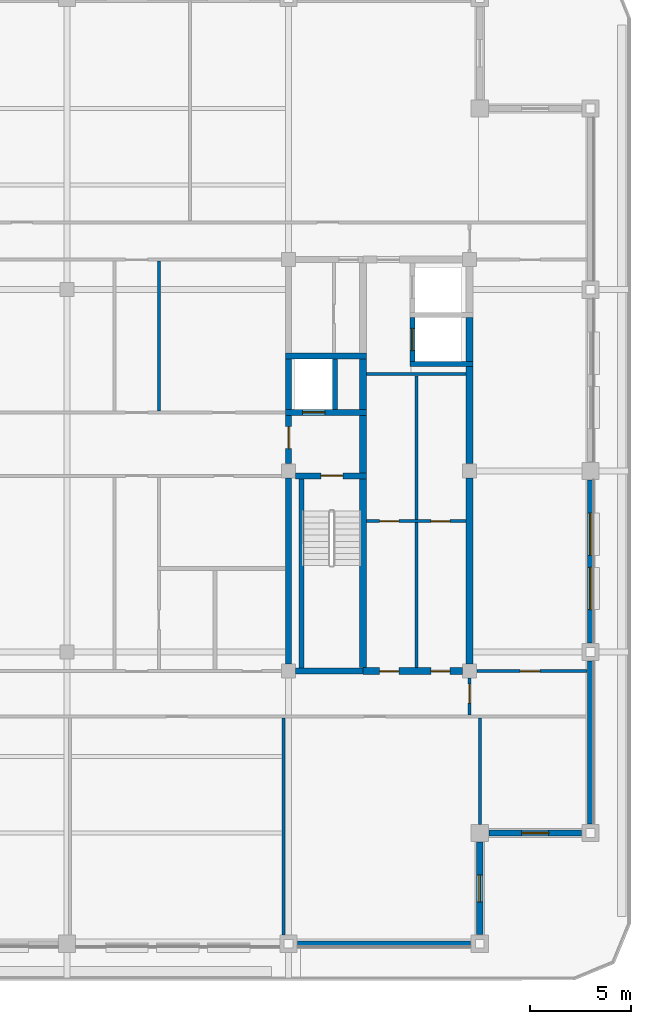
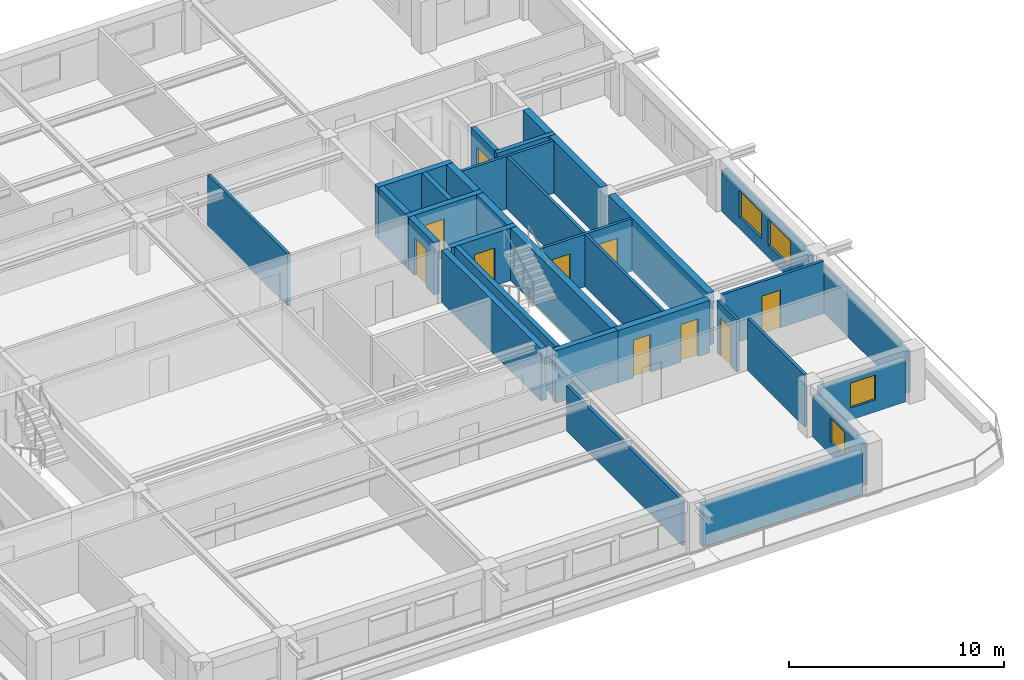
# One storey, part 4 of 11: 32 walls, 10 doors, 4 windows, 14 openings.
"""IFC4 building model written with IfcOpenShell, lengths in metres."""

from ifc_helpers import new_model, si_unit, direction, frame, frame_2d, origin, place, context, subcontext, project, spatial, rectangle, extrude, material, layer, layer_set, type_object, element, fill, save


model = new_model("IFC4")

# Units and contexts
model_context = context("Model", 3, precision=1e-05, world=origin(), true_north=direction((0.0, 1.0)))
body_context = subcontext(model_context, "Body", "Model", "MODEL_VIEW")
ifc_project = project(units=[si_unit("LENGTHUNIT", "METRE"), si_unit("AREAUNIT", "SQUARE_METRE"), si_unit("VOLUMEUNIT", "CUBIC_METRE"), si_unit("PLANEANGLEUNIT", "RADIAN"), si_unit("MASSUNIT", "GRAM", prefix="KILO")], contexts=[model_context])

# Site, building, storey
site_placement = place(None, origin())
site = spatial("IfcSite", under=ifc_project, at=site_placement, CompositionType="ELEMENT")
building_placement = place(site_placement, origin())
building = spatial("IfcBuilding", under=site, at=building_placement, Name="Zulmaris Gate Convention Tower", CompositionType="ELEMENT")
storey_placement = place(building_placement, frame((0.0, 0.0, 242.969970703125)))
storey = spatial("IfcBuildingStorey", under=building, at=storey_placement, Name="L64", CompositionType="ELEMENT", Elevation=242.969970703125)

# Walls
ifc_material_1 = material(Name="Concrete C50/60", Category="concrete")
ifc_layer_1 = layer(ifc_material_1, 0.25, Name="Concrete C50/60")
ifc_layer_set_1 = layer_set([ifc_layer_1], Name="Concrete C50/60")
wall_type_1 = type_object("IfcWallType", Name="CORE-250", PredefinedType="SOLIDWALL", material=ifc_layer_set_1)
wall_1_placement = place(storey_placement, frame((17.02490234375, 5.300048828125, 0.0), z_axis=(0.0, 0.0, 1.0), x_axis=(1.0, 0.0, 0.0)))
element("IfcWall", 1, at=wall_1_placement, inside=storey, type_object=wall_type_1, Name="WL-L64-011", PredefinedType="SOLIDWALL", context=body_context, shape_type="SweptSolid", body=[
    extrude(rectangle(XDim=3.150146484375, YDim=0.25, at=frame_2d((1.5751953125, 0.0))), origin(), (0.0, 0.0, 1.0), 2.97998046875),
])
wall_2_placement = place(storey_placement, frame((11.64990234375, -9.798095703125, 0.0), z_axis=(0.0, 0.0, 1.0), x_axis=(0.0, 1.0, 0.0)))
element("IfcWall", 2, at=wall_2_placement, inside=storey, type_object=wall_type_1, Name="WL-L64-053", PredefinedType="SOLIDWALL", context=body_context, shape_type="SweptSolid", body=[
    extrude(rectangle(XDim=9.39599609375, YDim=0.25, at=frame_2d((4.697998046875, 0.0))), origin(), (0.0, 0.0, 1.0), 2.97998046875),
])
wall_3_placement = place(storey_placement, frame((13.300048828125, 3.052001953125, 0.0), z_axis=(0.0, 0.0, 1.0), x_axis=(0.0, 1.0, 0.0)))
element("IfcWall", 3, at=wall_3_placement, inside=storey, type_object=wall_type_1, Name="WL-L64-054", PredefinedType="SOLIDWALL", context=body_context, shape_type="SweptSolid", body=[
    extrude(rectangle(XDim=2.49609375, YDim=0.25, at=frame_2d((1.248046875, 0.0))), origin(), (0.0, 0.0, 1.0), 2.97998046875),
])

# Wall, opening, door
wall_4_placement = place(storey_placement, frame((17.14990234375, 5.427001953125, 0.0), z_axis=(0.0, 0.0, 1.0), x_axis=(0.0, 1.0, 0.0)))
wall_4 = element("IfcWall", 4, at=wall_4_placement, inside=storey, type_object=wall_type_1, Name="WL-L64-059", PredefinedType="SOLIDWALL", context=body_context, shape_type="SweptSolid", body=[
    extrude(rectangle(XDim=2.196044921875, YDim=0.25, at=frame_2d((1.09814453125, 0.0))), origin(), (0.0, 0.0, 1.0), 2.97998046875),
])
opening_1_placement = place(wall_4_placement, frame((0.548095703125, 0.0, 0.0)))
opening_1 = element("IfcOpeningElement", 5, at=opening_1_placement, cuts=wall_4, Name="Opening D-06", PredefinedType="OPENING", context=body_context, shape_type="SweptSolid", body=[
    extrude(rectangle(XDim=1.10009765625, YDim=2.199951171875, at=frame_2d((0.550048828125, 1.10009765625))), frame((0.0, 0.135009765625, 0.0), z_axis=(0.0, -1.0, 0.0), x_axis=(1.0, 0.0, 0.0)), (0.0, 0.0, 1.0), 0.27001953125),
])
ifc_material_2 = material(Name="Brushed Stainless Steel", Category="steel")
door_type_1 = type_object("IfcDoorType", Name="LD-1100", OperationType="NOTDEFINED", PredefinedType="DOOR", material=ifc_material_2)
door_1_placement = place(opening_1_placement, origin())
door_1 = element("IfcDoor", 6, at=door_1_placement, inside=storey, type_object=door_type_1, Name="L64 Lift Landing Door HP-01 17", OperationType="SLIDING_TO_RIGHT", OverallHeight=2.199951171875, OverallWidth=1.10009765625, PredefinedType="DOOR", context=body_context, shape_type="SweptSolid", body=[
    extrude(rectangle(XDim=1.10009765625, YDim=2.199951171875, at=frame_2d((0.550048828125, 1.10009765625))), frame((0.0, 0.02490234375, 0.0), z_axis=(0.0, -1.0, 0.0), x_axis=(1.0, 0.0, 0.0)), (0.0, 0.0, 1.0), 0.050048828125),
])
fill(opening_1, door_1)

# Wall
ifc_layer_2 = layer(ifc_material_1, 0.300048828125, Name="Concrete C50/60")
ifc_layer_set_2 = layer_set([ifc_layer_2], Name="Concrete C50/60")
wall_type_2 = type_object("IfcWallType", Name="CORE-300", PredefinedType="SHEAR", material=ifc_layer_set_2)
wall_5_placement = place(storey_placement, frame((11.35400390625, -9.949951171875, 0.0), z_axis=(0.0, 0.0, 1.0), x_axis=(1.0, 0.0, 0.0)))
element("IfcWall", 7, at=wall_5_placement, inside=storey, type_object=wall_type_2, Name="WL-L64-003", PredefinedType="SHEAR", context=body_context, shape_type="SweptSolid", body=[
    extrude(rectangle(XDim=3.345947265625, YDim=0.300048828125, at=frame_2d((1.6728515625, 0.0))), origin(), (0.0, 0.0, 1.0), 2.97998046875),
])

# Wall, opening, door
wall_6_placement = place(storey_placement, frame((11.35400390625, -0.25, 0.0), z_axis=(0.0, 0.0, 1.0), x_axis=(1.0, 0.0, 0.0)))
wall_6 = element("IfcWall", 8, at=wall_6_placement, inside=storey, type_object=wall_type_2, Name="WL-L64-006", PredefinedType="SHEAR", context=body_context, shape_type="SweptSolid", body=[
    extrude(rectangle(XDim=3.52099609375, YDim=0.300048828125, at=frame_2d((1.760498046875, 0.0))), origin(), (0.0, 0.0, 1.0), 2.97998046875),
])
opening_2_placement = place(wall_6_placement, frame((1.24609375, 0.0, 0.0)))
opening_2 = element("IfcOpeningElement", 9, at=opening_2_placement, cuts=wall_6, Name="Opening D-08", PredefinedType="OPENING", context=body_context, shape_type="SweptSolid", body=[
    extrude(rectangle(XDim=1.10009765625, YDim=2.14990234375, at=frame_2d((0.550048828125, 1.074951171875))), frame((0.0, 0.16015625, 0.0), z_axis=(0.0, -1.0, 0.0), x_axis=(1.0, 0.0, 0.0)), (0.0, 0.0, 1.0), 0.320068359375),
])
ifc_material_3 = material(Name="Fire-Rated Steel", Category="steel")
door_type_2 = type_object("IfcDoorType", Name="DR-1100-FD", OperationType="NOTDEFINED", PredefinedType="DOOR", material=ifc_material_3)
door_2_placement = place(opening_2_placement, origin())
door_2 = element("IfcDoor", 10, at=door_2_placement, inside=storey, type_object=door_type_2, Name="L64 Exit Stair ST-2 Door 04", OperationType="SINGLE_SWING_LEFT", OverallHeight=2.14990234375, OverallWidth=1.10009765625, PredefinedType="DOOR", context=body_context, shape_type="SweptSolid", body=[
    extrude(rectangle(XDim=1.10009765625, YDim=2.14990234375, at=frame_2d((0.550048828125, 1.074951171875))), frame((0.0, 0.02490234375, 0.0), z_axis=(0.0, -1.0, 0.0), x_axis=(1.0, 0.0, 0.0)), (0.0, 0.0, 1.0), 0.050048828125),
])
fill(opening_2, door_2)

wall_7_placement = place(storey_placement, frame((10.85009765625, 2.89990234375, 0.0), z_axis=(0.0, 0.0, 1.0), x_axis=(1.0, 0.0, 0.0)))
wall_7 = element("IfcWall", 11, at=wall_7_placement, inside=storey, type_object=wall_type_2, Name="WL-L64-009", PredefinedType="SHEAR", context=body_context, shape_type="SweptSolid", body=[
    extrude(rectangle(XDim=4.02490234375, YDim=0.300048828125, at=frame_2d((2.012451171875, 0.0))), origin(), (0.0, 0.0, 1.0), 2.97998046875),
])
opening_3_placement = place(wall_7_placement, frame((0.85009765625, 0.0, 0.0)))
opening_3 = element("IfcOpeningElement", 12, at=opening_3_placement, cuts=wall_7, Name="Opening D-06", PredefinedType="OPENING", context=body_context, shape_type="SweptSolid", body=[
    extrude(rectangle(XDim=1.10009765625, YDim=2.199951171875, at=frame_2d((0.550048828125, 1.10009765625))), frame((0.0, 0.16015625, 0.0), z_axis=(0.0, -1.0, 0.0), x_axis=(1.0, 0.0, 0.0)), (0.0, 0.0, 1.0), 0.320068359375),
])
door_3_placement = place(opening_3_placement, origin())
door_3 = element("IfcDoor", 13, at=door_3_placement, inside=storey, type_object=door_type_1, Name="L64 Lift Landing Door LF-02 06", OperationType="SLIDING_TO_RIGHT", OverallHeight=2.199951171875, OverallWidth=1.10009765625, PredefinedType="DOOR", context=body_context, shape_type="SweptSolid", body=[
    extrude(rectangle(XDim=1.10009765625, YDim=2.199951171875, at=frame_2d((0.550048828125, 1.10009765625))), frame((0.0, 0.02490234375, 0.0), z_axis=(0.0, -1.0, 0.0), x_axis=(1.0, 0.0, 0.0)), (0.0, 0.0, 1.0), 0.050048828125),
])
fill(opening_3, door_3)

# Walls
wall_8_placement = place(storey_placement, frame((10.85009765625, 5.699951171875, 0.0), z_axis=(0.0, 0.0, 1.0), x_axis=(1.0, 0.0, 0.0)))
element("IfcWall", 14, at=wall_8_placement, inside=storey, type_object=wall_type_2, Name="WL-L64-013", PredefinedType="SHEAR", context=body_context, shape_type="SweptSolid", body=[
    extrude(rectangle(XDim=4.02490234375, YDim=0.300048828125, at=frame_2d((2.012451171875, 0.0))), origin(), (0.0, 0.0, 1.0), 2.97998046875),
])
wall_9_placement = place(storey_placement, frame((11.0, -9.595947265625, 0.0), z_axis=(0.0, 0.0, 1.0), x_axis=(0.0, 1.0, 0.0)))
element("IfcWall", 15, at=wall_9_placement, inside=storey, type_object=wall_type_2, Name="WL-L64-049", PredefinedType="SHEAR", context=body_context, shape_type="SweptSolid", body=[
    extrude(rectangle(XDim=9.241943359375, YDim=0.300048828125, at=frame_2d((4.62109375, 0.0))), origin(), (0.0, 0.0, 1.0), 2.97998046875),
])

# Wall, opening, door
wall_10_placement = place(storey_placement, frame((11.0, 0.35400390625, 0.0), z_axis=(0.0, 0.0, 1.0), x_axis=(0.0, 1.0, 0.0)))
wall_10 = element("IfcWall", 16, at=wall_10_placement, inside=storey, type_object=wall_type_2, Name="WL-L64-050", PredefinedType="SHEAR", context=body_context, shape_type="SweptSolid", body=[
    extrude(rectangle(XDim=2.39404296875, YDim=0.300048828125, at=frame_2d((1.197021484375, 0.0))), origin(), (0.0, 0.0, 1.0), 2.97998046875),
])
opening_4_placement = place(wall_10_placement, frame((0.74609375, 0.0, 0.0)))
opening_4 = element("IfcOpeningElement", 17, at=opening_4_placement, cuts=wall_10, Name="Opening D-08", PredefinedType="OPENING", context=body_context, shape_type="SweptSolid", body=[
    extrude(rectangle(XDim=1.10009765625, YDim=2.14990234375, at=frame_2d((0.550048828125, 1.074951171875))), frame((0.0, 0.16015625, 0.0), z_axis=(0.0, -1.0, 0.0), x_axis=(1.0, 0.0, 0.0)), (0.0, 0.0, 1.0), 0.320068359375),
])
door_4_placement = place(opening_4_placement, origin())
door_4 = element("IfcDoor", 18, at=door_4_placement, inside=storey, type_object=door_type_2, Name="L64 East Firefighting Lobby Door 05", OperationType="SINGLE_SWING_RIGHT", OverallHeight=2.14990234375, OverallWidth=1.10009765625, PredefinedType="DOOR", context=body_context, shape_type="SweptSolid", body=[
    extrude(rectangle(XDim=1.10009765625, YDim=2.14990234375, at=frame_2d((0.550048828125, 1.074951171875))), frame((0.0, 0.02490234375, 0.0), z_axis=(0.0, -1.0, 0.0), x_axis=(1.0, 0.0, 0.0)), (0.0, 0.0, 1.0), 0.050048828125),
])
fill(opening_4, door_4)

# Wall
wall_11_placement = place(storey_placement, frame((11.0, 3.052001953125, 0.0), z_axis=(0.0, 0.0, 1.0), x_axis=(0.0, 1.0, 0.0)))
element("IfcWall", 19, at=wall_11_placement, inside=storey, type_object=wall_type_2, Name="WL-L64-051", PredefinedType="SHEAR", context=body_context, shape_type="SweptSolid", body=[
    extrude(rectangle(XDim=2.49609375, YDim=0.300048828125, at=frame_2d((1.248046875, 0.0))), origin(), (0.0, 0.0, 1.0), 2.97998046875),
])

# Wall, openings, doors
ifc_material_4 = material(Name="Concrete C55/67", Category="concrete")
ifc_layer_3 = layer(ifc_material_4, 0.35009765625, Name="Concrete C55/67")
ifc_layer_set_3 = layer_set([ifc_layer_3], Name="Concrete C55/67")
wall_type_3 = type_object("IfcWallType", Name="CORE-350", PredefinedType="SHEAR", material=ifc_layer_set_3)
wall_12_placement = place(storey_placement, frame((14.699951171875, -9.949951171875, 0.0), z_axis=(0.0, 0.0, 1.0), x_axis=(1.0, 0.0, 0.0)))
wall_12 = element("IfcWall", 20, at=wall_12_placement, inside=storey, type_object=wall_type_3, Name="WL-L64-004", PredefinedType="SHEAR", context=body_context, shape_type="SweptSolid", body=[
    extrude(rectangle(XDim=4.946044921875, YDim=0.35009765625, at=frame_2d((2.47314453125, 0.0))), origin(), (0.0, 0.0, 1.0), 2.97998046875),
])
opening_5_placement = place(wall_12_placement, frame((0.824951171875, 0.0, 0.0)))
opening_5 = element("IfcOpeningElement", 21, at=opening_5_placement, cuts=wall_12, Name="Opening D-11", PredefinedType="OPENING", context=body_context, shape_type="SweptSolid", body=[
    extrude(rectangle(XDim=0.949951171875, YDim=2.14990234375, at=frame_2d((0.47509765625, 1.074951171875))), frame((0.0, 0.18505859375, 0.0), z_axis=(0.0, -1.0, 0.0), x_axis=(1.0, 0.0, 0.0)), (0.0, 0.0, 1.0), 0.3701171875),
])
opening_6_placement = place(wall_12_placement, frame((3.375, 0.0, 0.0)))
opening_6 = element("IfcOpeningElement", 22, at=opening_6_placement, cuts=wall_12, Name="Opening D-11", PredefinedType="OPENING", context=body_context, shape_type="SweptSolid", body=[
    extrude(rectangle(XDim=0.949951171875, YDim=2.14990234375, at=frame_2d((0.47509765625, 1.074951171875))), frame((0.0, 0.18505859375, 0.0), z_axis=(0.0, -1.0, 0.0), x_axis=(1.0, 0.0, 0.0)), (0.0, 0.0, 1.0), 0.3701171875),
])
ifc_material_5 = material(Name="Fire-Rated Timber", Category="wood")
door_type_3 = type_object("IfcDoorType", Name="DR-950-FD", OperationType="NOTDEFINED", PredefinedType="DOOR", material=ifc_material_5)
door_5_placement = place(opening_5_placement, origin())
door_5 = element("IfcDoor", 23, at=door_5_placement, inside=storey, type_object=door_type_3, Name="L64 Staff WC Door 20", OperationType="SINGLE_SWING_RIGHT", OverallHeight=2.14990234375, OverallWidth=0.949951171875, PredefinedType="DOOR", context=body_context, shape_type="SweptSolid", body=[
    extrude(rectangle(XDim=0.949951171875, YDim=2.14990234375, at=frame_2d((0.47509765625, 1.074951171875))), frame((0.0, 0.02490234375, 0.0), z_axis=(0.0, -1.0, 0.0), x_axis=(1.0, 0.0, 0.0)), (0.0, 0.0, 1.0), 0.050048828125),
])
fill(opening_5, door_5)
door_6_placement = place(opening_6_placement, origin())
door_6 = element("IfcDoor", 24, at=door_6_placement, inside=storey, type_object=door_type_3, Name="L64 Vending Room Door 22", OperationType="SINGLE_SWING_RIGHT", OverallHeight=2.14990234375, OverallWidth=0.949951171875, PredefinedType="DOOR", context=body_context, shape_type="SweptSolid", body=[
    extrude(rectangle(XDim=0.949951171875, YDim=2.14990234375, at=frame_2d((0.47509765625, 1.074951171875))), frame((0.0, 0.02490234375, 0.0), z_axis=(0.0, -1.0, 0.0), x_axis=(1.0, 0.0, 0.0)), (0.0, 0.0, 1.0), 0.050048828125),
])
fill(opening_6, door_6)

# Walls
wall_13_placement = place(storey_placement, frame((14.699951171875, -9.77294921875, 0.0), z_axis=(0.0, 0.0, 1.0), x_axis=(0.0, 1.0, 0.0)))
element("IfcWall", 25, at=wall_13_placement, inside=storey, type_object=wall_type_3, Name="WL-L64-055", PredefinedType="SHEAR", context=body_context, shape_type="SweptSolid", body=[
    extrude(rectangle(XDim=9.370849609375, YDim=0.35009765625, at=frame_2d((4.685546875, 0.0))), origin(), (0.0, 0.0, 1.0), 2.97998046875),
])
wall_14_placement = place(storey_placement, frame((14.699951171875, -0.097900390625, 0.0), z_axis=(0.0, 0.0, 1.0), x_axis=(0.0, 1.0, 0.0)))
element("IfcWall", 26, at=wall_14_placement, inside=storey, type_object=wall_type_3, Name="WL-L64-056", PredefinedType="SHEAR", context=body_context, shape_type="SweptSolid", body=[
    extrude(rectangle(XDim=2.845947265625, YDim=0.35009765625, at=frame_2d((1.4228515625, 0.0))), origin(), (0.0, 0.0, 1.0), 2.97998046875),
])
wall_15_placement = place(storey_placement, frame((14.699951171875, 3.052001953125, 0.0), z_axis=(0.0, 0.0, 1.0), x_axis=(0.0, 1.0, 0.0)))
element("IfcWall", 27, at=wall_15_placement, inside=storey, type_object=wall_type_3, Name="WL-L64-057", PredefinedType="SHEAR", context=body_context, shape_type="SweptSolid", body=[
    extrude(rectangle(XDim=2.49609375, YDim=0.35009765625, at=frame_2d((1.248046875, 0.0))), origin(), (0.0, 0.0, 1.0), 2.97998046875),
])
wall_16_placement = place(storey_placement, frame((20.0, -9.595947265625, 0.0), z_axis=(0.0, 0.0, 1.0), x_axis=(0.0, 1.0, 0.0)))
element("IfcWall", 28, at=wall_16_placement, inside=storey, type_object=wall_type_3, Name="WL-L64-061", PredefinedType="SHEAR", context=body_context, shape_type="SweptSolid", body=[
    extrude(rectangle(XDim=9.241943359375, YDim=0.35009765625, at=frame_2d((4.62109375, 0.0))), origin(), (0.0, 0.0, 1.0), 2.97998046875),
])
wall_17_placement = place(storey_placement, frame((20.0, 0.35400390625, 0.0), z_axis=(0.0, 0.0, 1.0), x_axis=(0.0, 1.0, 0.0)))
element("IfcWall", 29, at=wall_17_placement, inside=storey, type_object=wall_type_3, Name="WL-L64-061S1", PredefinedType="SHEAR", context=body_context, shape_type="SweptSolid", body=[
    extrude(rectangle(XDim=4.819091796875, YDim=0.35009765625, at=frame_2d((2.40966796875, 0.0))), origin(), (0.0, 0.0, 1.0), 2.97998046875),
])
wall_18_placement = place(storey_placement, frame((20.0, 5.427001953125, 0.0), z_axis=(0.0, 0.0, 1.0), x_axis=(0.0, 1.0, 0.0)))
element("IfcWall", 30, at=wall_18_placement, inside=storey, type_object=wall_type_3, Name="WL-L64-062", PredefinedType="SHEAR", context=body_context, shape_type="SweptSolid", body=[
    extrude(rectangle(XDim=2.196044921875, YDim=0.35009765625, at=frame_2d((1.09814453125, 0.0))), origin(), (0.0, 0.0, 1.0), 2.97998046875),
])

# Wall, opening, door
ifc_material_6 = material(Name="Gypsum Metal Stud Partition")
ifc_layer_4 = layer(ifc_material_6, 0.14990234375, Name="Gypsum Metal Stud Partition")
ifc_layer_set_4 = layer_set([ifc_layer_4], Name="Gypsum Metal Stud Partition")
wall_type_4 = type_object("IfcWallType", Name="PART-150", PredefinedType="PARTITIONING", material=ifc_layer_set_4)
wall_19_placement = place(storey_placement, frame((20.35595703125, -9.949951171875, 0.0), z_axis=(0.0, 0.0, 1.0), x_axis=(1.0, 0.0, 0.0)))
wall_19 = element("IfcWall", 31, at=wall_19_placement, inside=storey, type_object=wall_type_4, Name="WL-L64-021", PredefinedType="PARTITIONING", context=body_context, shape_type="SweptSolid", body=[
    extrude(rectangle(XDim=5.47900390625, YDim=0.14990234375, at=frame_2d((2.739501953125, 0.0))), origin(), (0.0, 0.0, 1.0), 2.97998046875),
])
opening_7_placement = place(wall_19_placement, frame((2.14404296875, 0.0, 0.0)))
opening_7 = element("IfcOpeningElement", 32, at=opening_7_placement, cuts=wall_19, Name="Opening D-10", PredefinedType="OPENING", context=body_context, shape_type="SweptSolid", body=[
    extrude(rectangle(XDim=1.0, YDim=2.14990234375, at=frame_2d((0.5, 1.074951171875))), frame((0.0, 0.0849609375, 0.0), z_axis=(0.0, -1.0, 0.0), x_axis=(1.0, 0.0, 0.0)), (0.0, 0.0, 1.0), 0.169921875),
])
door_type_4 = type_object("IfcDoorType", Name="DR-1000-FD", OperationType="NOTDEFINED", PredefinedType="DOOR", material=ifc_material_5)
door_7_placement = place(opening_7_placement, origin())
door_7 = element("IfcDoor", 33, at=door_7_placement, inside=storey, type_object=door_type_4, Name="L64 East Workplace South Door 43", OperationType="SINGLE_SWING_LEFT", OverallHeight=2.14990234375, OverallWidth=1.0, PredefinedType="DOOR", context=body_context, shape_type="SweptSolid", body=[
    extrude(rectangle(XDim=1.0, YDim=2.14990234375, at=frame_2d((0.5, 1.074951171875))), frame((0.0, 0.02490234375, 0.0), z_axis=(0.0, -1.0, 0.0), x_axis=(1.0, 0.0, 0.0)), (0.0, 0.0, 1.0), 0.050048828125),
])
fill(opening_7, door_7)

# Wall, openings, doors
wall_20_placement = place(storey_placement, frame((14.8779296875, -2.5, 0.0), z_axis=(0.0, 0.0, 1.0), x_axis=(1.0, 0.0, 0.0)))
wall_20 = element("IfcWall", 34, at=wall_20_placement, inside=storey, type_object=wall_type_4, Name="WL-L64-023", PredefinedType="PARTITIONING", context=body_context, shape_type="SweptSolid", body=[
    extrude(rectangle(XDim=4.944091796875, YDim=0.14990234375, at=frame_2d((2.47216796875, 0.0))), origin(), (0.0, 0.0, 1.0), 2.97998046875),
])
opening_8_placement = place(wall_20_placement, frame((0.64697265625, 0.0, 0.0)))
opening_8 = element("IfcOpeningElement", 35, at=opening_8_placement, cuts=wall_20, Name="Opening D-11", PredefinedType="OPENING", context=body_context, shape_type="SweptSolid", body=[
    extrude(rectangle(XDim=0.949951171875, YDim=2.14990234375, at=frame_2d((0.47509765625, 1.074951171875))), frame((0.0, 0.0849609375, 0.0), z_axis=(0.0, -1.0, 0.0), x_axis=(1.0, 0.0, 0.0)), (0.0, 0.0, 1.0), 0.169921875),
])
opening_9_placement = place(wall_20_placement, frame((3.197021484375, 0.0, 0.0)))
opening_9 = element("IfcOpeningElement", 36, at=opening_9_placement, cuts=wall_20, Name="Opening D-11", PredefinedType="OPENING", context=body_context, shape_type="SweptSolid", body=[
    extrude(rectangle(XDim=0.949951171875, YDim=2.14990234375, at=frame_2d((0.47509765625, 1.074951171875))), frame((0.0, 0.0849609375, 0.0), z_axis=(0.0, -1.0, 0.0), x_axis=(1.0, 0.0, 0.0)), (0.0, 0.0, 1.0), 0.169921875),
])
door_8_placement = place(opening_8_placement, origin())
door_8 = element("IfcDoor", 37, at=door_8_placement, inside=storey, type_object=door_type_3, Name="L64 Locker Store Door 21", OperationType="SINGLE_SWING_LEFT", OverallHeight=2.14990234375, OverallWidth=0.949951171875, PredefinedType="DOOR", context=body_context, shape_type="SweptSolid", body=[
    extrude(rectangle(XDim=0.949951171875, YDim=2.14990234375, at=frame_2d((0.47509765625, 1.074951171875))), frame((0.0, 0.02490234375, 0.0), z_axis=(0.0, -1.0, 0.0), x_axis=(1.0, 0.0, 0.0)), (0.0, 0.0, 1.0), 0.050048828125),
])
fill(opening_8, door_8)
door_9_placement = place(opening_9_placement, origin())
door_9 = element("IfcDoor", 38, at=door_9_placement, inside=storey, type_object=door_type_3, Name="L64 Ice Store Door 23", OperationType="SINGLE_SWING_LEFT", OverallHeight=2.14990234375, OverallWidth=0.949951171875, PredefinedType="DOOR", context=body_context, shape_type="SweptSolid", body=[
    extrude(rectangle(XDim=0.949951171875, YDim=2.14990234375, at=frame_2d((0.47509765625, 1.074951171875))), frame((0.0, 0.02490234375, 0.0), z_axis=(0.0, -1.0, 0.0), x_axis=(1.0, 0.0, 0.0)), (0.0, 0.0, 1.0), 0.050048828125),
])
fill(opening_9, door_9)

# Walls
wall_21_placement = place(storey_placement, frame((14.8779296875, 4.800048828125, 0.0), z_axis=(0.0, 0.0, 1.0), x_axis=(1.0, 0.0, 0.0)))
element("IfcWall", 39, at=wall_21_placement, inside=storey, type_object=wall_type_4, Name="WL-L64-026", PredefinedType="PARTITIONING", context=body_context, shape_type="SweptSolid", body=[
    extrude(rectangle(XDim=4.944091796875, YDim=0.14990234375, at=frame_2d((2.47216796875, 0.0))), origin(), (0.0, 0.0, 1.0), 2.97998046875),
])
wall_22_placement = place(storey_placement, frame((4.550048828125, 2.97802734375, 0.0), z_axis=(0.0, 0.0, 1.0), x_axis=(0.0, 1.0, 0.0)))
element("IfcWall", 40, at=wall_22_placement, inside=storey, type_object=wall_type_4, Name="WL-L64-076", PredefinedType="PARTITIONING", context=body_context, shape_type="SweptSolid", body=[
    extrude(rectangle(XDim=7.444091796875, YDim=0.14990234375, at=frame_2d((3.72216796875, 0.0))), origin(), (0.0, 0.0, 1.0), 2.97998046875),
])
wall_23_placement = place(storey_placement, frame((10.75, -23.069091796875, 0.0), z_axis=(0.0, 0.0, 1.0), x_axis=(0.0, 1.0, 0.0)))
element("IfcWall", 41, at=wall_23_placement, inside=storey, type_object=wall_type_4, Name="WL-L64-079", PredefinedType="PARTITIONING", context=body_context, shape_type="SweptSolid", body=[
    extrude(rectangle(XDim=10.791015625, YDim=0.14990234375, at=frame_2d((5.3955078125, 0.0))), origin(), (0.0, 0.0, 1.0), 2.570068359375),
])
wall_24_placement = place(storey_placement, frame((17.35009765625, -9.77197265625, 0.0), z_axis=(0.0, 0.0, 1.0), x_axis=(0.0, 1.0, 0.0)))
element("IfcWall", 42, at=wall_24_placement, inside=storey, type_object=wall_type_4, Name="WL-L64-081", PredefinedType="PARTITIONING", context=body_context, shape_type="SweptSolid", body=[
    extrude(rectangle(XDim=7.194091796875, YDim=0.14990234375, at=frame_2d((3.59716796875, 0.0))), origin(), (0.0, 0.0, 1.0), 2.97998046875),
])
wall_25_placement = place(storey_placement, frame((17.35009765625, -2.422119140625, 0.0), z_axis=(0.0, 0.0, 1.0), x_axis=(0.0, 1.0, 0.0)))
element("IfcWall", 43, at=wall_25_placement, inside=storey, type_object=wall_type_4, Name="WL-L64-082", PredefinedType="PARTITIONING", context=body_context, shape_type="SweptSolid", body=[
    extrude(rectangle(XDim=7.14404296875, YDim=0.14990234375, at=frame_2d((3.572021484375, 0.0))), origin(), (0.0, 0.0, 1.0), 2.97998046875),
])

# Wall, opening, door
wall_26_placement = place(storey_placement, frame((20.0, -12.1220703125, 0.0), z_axis=(0.0, 0.0, 1.0), x_axis=(0.0, 1.0, 0.0)))
wall_26 = element("IfcWall", 44, at=wall_26_placement, inside=storey, type_object=wall_type_4, Name="WL-L64-083", PredefinedType="PARTITIONING", context=body_context, shape_type="SweptSolid", body=[
    extrude(rectangle(XDim=1.816162109375, YDim=0.14990234375, at=frame_2d((0.908203125, 0.0))), origin(), (0.0, 0.0, 1.0), 2.97998046875),
])
opening_10_placement = place(wall_26_placement, frame((0.576904296875, 0.0, 0.0)))
opening_10 = element("IfcOpeningElement", 45, at=opening_10_placement, cuts=wall_26, Name="Opening D-11", PredefinedType="OPENING", context=body_context, shape_type="SweptSolid", body=[
    extrude(rectangle(XDim=0.949951171875, YDim=2.14990234375, at=frame_2d((0.47509765625, 1.074951171875))), frame((0.0, 0.0849609375, 0.0), z_axis=(0.0, -1.0, 0.0), x_axis=(1.0, 0.0, 0.0)), (0.0, 0.0, 1.0), 0.169921875),
])
door_10_placement = place(opening_10_placement, origin())
door_10 = element("IfcDoor", 46, at=door_10_placement, inside=storey, type_object=door_type_3, Name="L64 SE Spur Door 41", OperationType="SINGLE_SWING_LEFT", OverallHeight=2.14990234375, OverallWidth=0.949951171875, PredefinedType="DOOR", context=body_context, shape_type="SweptSolid", body=[
    extrude(rectangle(XDim=0.949951171875, YDim=2.14990234375, at=frame_2d((0.47509765625, 1.074951171875))), frame((0.0, 0.02490234375, 0.0), z_axis=(0.0, -1.0, 0.0), x_axis=(1.0, 0.0, 0.0)), (0.0, 0.0, 1.0), 0.050048828125),
])
fill(opening_10, door_10)

# Wall
wall_27_placement = place(storey_placement, frame((20.5, -17.569091796875, 0.0), z_axis=(0.0, 0.0, 1.0), x_axis=(0.0, 1.0, 0.0)))
element("IfcWall", 47, at=wall_27_placement, inside=storey, type_object=wall_type_4, Name="WL-L64-085", PredefinedType="PARTITIONING", context=body_context, shape_type="SweptSolid", body=[
    extrude(rectangle(XDim=5.291015625, YDim=0.14990234375, at=frame_2d((2.6455078125, 0.0))), origin(), (0.0, 0.0, 1.0), 2.97998046875),
])

# Wall, opening, window
ifc_material_7 = material(Name="Precast concrete C40/50", Category="concrete")
ifc_layer_5 = layer(ifc_material_7, 0.300048828125, Name="Precast concrete C40/50")
ifc_layer_set_5 = layer_set([ifc_layer_5], Name="Precast concrete C40/50")
wall_type_5 = type_object("IfcWallType", Name="PRECAST-PIER-300", PredefinedType="STANDARD", material=ifc_layer_set_5)
wall_28_placement = place(storey_placement, frame((20.5, -23.044921875, 0.0), z_axis=(0.0, 0.0, 1.0), x_axis=(0.0, 1.0, 0.0)))
wall_28 = element("IfcWall", 48, at=wall_28_placement, inside=storey, type_object=wall_type_5, Name="EW-L64-NOTCH-SE1_0", PredefinedType="STANDARD", context=body_context, shape_type="SweptSolid", body=[
    extrude(rectangle(XDim=4.58984375, YDim=0.300048828125, at=frame_2d((2.294921875, 0.0))), origin(), (0.0, 0.0, 1.0), 2.3720703125),
])
opening_11_placement = place(wall_28_placement, frame((1.6201171875, 0.0, 0.679931640625)))
opening_11 = element("IfcOpeningElement", 49, at=opening_11_placement, cuts=wall_28, Name="Opening W-10", PredefinedType="OPENING", context=body_context, shape_type="SweptSolid", body=[
    extrude(rectangle(XDim=1.35009765625, YDim=1.419921875, at=frame_2d((0.675048828125, 0.7099609375))), frame((0.0, 0.16015625, 0.0), z_axis=(0.0, -1.0, 0.0), x_axis=(1.0, 0.0, 0.0)), (0.0, 0.0, 1.0), 0.320068359375),
])
ifc_material_8 = material(Name="Low-E Laminated Double Glazing in Aluminium Frame", Category="aluminium")
window_type_1 = type_object("IfcWindowType", Name="WIN-1350x2000", PartitioningType="SINGLE_PANEL", PredefinedType="WINDOW", material=ifc_material_8)
window_1_placement = place(opening_11_placement, origin())
window_1 = element("IfcWindow", 50, at=window_1_placement, inside=storey, type_object=window_type_1, Name="WN-EW-L64-NOTCH-SE1_0", OverallHeight=1.419921875, OverallWidth=1.35009765625, PartitioningType="SINGLE_PANEL", PredefinedType="WINDOW", context=body_context, shape_type="SweptSolid", body=[
    extrude(rectangle(XDim=1.35009765625, YDim=1.419921875, at=frame_2d((0.675048828125, 0.7099609375))), frame((0.0, 0.030029296875, 0.0), z_axis=(0.0, -1.0, 0.0), x_axis=(1.0, 0.0, 0.0)), (0.0, 0.0, 1.0), 0.06005859375),
])
fill(opening_11, window_1)

wall_29_placement = place(storey_placement, frame((20.955078125, -18.0, 0.0), z_axis=(0.0, 0.0, 1.0), x_axis=(1.0, 0.0, 0.0)))
wall_29 = element("IfcWall", 51, at=wall_29_placement, inside=storey, type_object=wall_type_5, Name="EW-L64-NOTCH-SE2_0", PredefinedType="STANDARD", context=body_context, shape_type="SweptSolid", body=[
    extrude(rectangle(XDim=4.58984375, YDim=0.300048828125, at=frame_2d((2.294921875, 0.0))), origin(), (0.0, 0.0, 1.0), 2.3720703125),
])
opening_12_placement = place(wall_29_placement, frame((1.6201171875, 0.0, 0.679931640625)))
opening_12 = element("IfcOpeningElement", 52, at=opening_12_placement, cuts=wall_29, Name="Opening W-10", PredefinedType="OPENING", context=body_context, shape_type="SweptSolid", body=[
    extrude(rectangle(XDim=1.35009765625, YDim=1.419921875, at=frame_2d((0.675048828125, 0.7099609375))), frame((0.0, 0.16015625, 0.0), z_axis=(0.0, -1.0, 0.0), x_axis=(1.0, 0.0, 0.0)), (0.0, 0.0, 1.0), 0.320068359375),
])
window_2_placement = place(opening_12_placement, origin())
window_2 = element("IfcWindow", 53, at=window_2_placement, inside=storey, type_object=window_type_1, Name="WN-EW-L64-NOTCH-SE2_0", OverallHeight=1.419921875, OverallWidth=1.35009765625, PartitioningType="SINGLE_PANEL", PredefinedType="WINDOW", context=body_context, shape_type="SweptSolid", body=[
    extrude(rectangle(XDim=1.35009765625, YDim=1.419921875, at=frame_2d((0.675048828125, 0.7099609375))), frame((0.0, 0.030029296875, 0.0), z_axis=(0.0, -1.0, 0.0), x_axis=(1.0, 0.0, 0.0)), (0.0, 0.0, 1.0), 0.06005859375),
])
fill(opening_12, window_2)

# Walls
wall_30_placement = place(storey_placement, frame((11.455078125, -23.5, 0.0), z_axis=(0.0, 0.0, 1.0), x_axis=(1.0, 0.0, 0.0)))
element("IfcWall", 54, at=wall_30_placement, inside=storey, type_object=wall_type_5, Name="EW-L64-S-3_0", PredefinedType="STANDARD", context=body_context, shape_type="SweptSolid", body=[
    extrude(rectangle(XDim=8.58984375, YDim=0.300048828125, at=frame_2d((4.294921875, 0.0))), origin(), (0.0, 0.0, 1.0), 2.3720703125),
])
wall_31_placement = place(storey_placement, frame((26.0, -17.544921875, 0.0), z_axis=(0.0, 0.0, 1.0), x_axis=(0.0, 1.0, 0.0)))
element("IfcWall", 55, at=wall_31_placement, inside=storey, type_object=wall_type_5, Name="EW-L64-E-0_0", PredefinedType="STANDARD", context=body_context, shape_type="SweptSolid", body=[
    extrude(rectangle(XDim=8.08984375, YDim=0.300048828125, at=frame_2d((4.044921875, 0.0))), origin(), (0.0, 0.0, 1.0), 2.3720703125),
])

# Wall, openings, windows
wall_32_placement = place(storey_placement, frame((26.0, -8.544921875, 0.0), z_axis=(0.0, 0.0, 1.0), x_axis=(0.0, 1.0, 0.0)))
wall_32 = element("IfcWall", 56, at=wall_32_placement, inside=storey, type_object=wall_type_5, Name="EW-L64-E-1_0", PredefinedType="STANDARD", context=body_context, shape_type="SweptSolid", body=[
    extrude(rectangle(XDim=8.08984375, YDim=0.300048828125, at=frame_2d((4.044921875, 0.0))), origin(), (0.0, 0.0, 1.0), 2.3720703125),
])
opening_13_placement = place(wall_32_placement, frame((1.64697265625, 0.0, 0.699951171875)))
opening_13 = element("IfcOpeningElement", 57, at=opening_13_placement, cuts=wall_32, Name="Opening W-05", PredefinedType="OPENING", context=body_context, shape_type="SweptSolid", body=[
    extrude(rectangle(XDim=2.10009765625, YDim=1.5, at=frame_2d((1.050048828125, 0.75))), frame((0.0, 0.16015625, 0.0), z_axis=(0.0, -1.0, 0.0), x_axis=(1.0, 0.0, 0.0)), (0.0, 0.0, 1.0), 0.320068359375),
])
opening_14_placement = place(wall_32_placement, frame((4.343017578125, 0.0, 0.699951171875)))
opening_14 = element("IfcOpeningElement", 58, at=opening_14_placement, cuts=wall_32, Name="Opening W-05", PredefinedType="OPENING", context=body_context, shape_type="SweptSolid", body=[
    extrude(rectangle(XDim=2.10009765625, YDim=1.5, at=frame_2d((1.050048828125, 0.75))), frame((0.0, 0.16015625, 0.0), z_axis=(0.0, -1.0, 0.0), x_axis=(1.0, 0.0, 0.0)), (0.0, 0.0, 1.0), 0.320068359375),
])
window_type_2 = type_object("IfcWindowType", Name="WIN-2100x2400", PartitioningType="SINGLE_PANEL", PredefinedType="WINDOW", material=ifc_material_8)
window_3_placement = place(opening_13_placement, origin())
window_3 = element("IfcWindow", 59, at=window_3_placement, inside=storey, type_object=window_type_2, Name="WN-EW-L64-E-1_0-1", OverallHeight=1.5, OverallWidth=2.10009765625, PartitioningType="SINGLE_PANEL", PredefinedType="WINDOW", context=body_context, shape_type="SweptSolid", body=[
    extrude(rectangle(XDim=2.10009765625, YDim=1.5, at=frame_2d((1.050048828125, 0.75))), frame((0.0, 0.030029296875, 0.0), z_axis=(0.0, -1.0, 0.0), x_axis=(1.0, 0.0, 0.0)), (0.0, 0.0, 1.0), 0.06005859375),
])
fill(opening_13, window_3)
window_4_placement = place(opening_14_placement, origin())
window_4 = element("IfcWindow", 60, at=window_4_placement, inside=storey, type_object=window_type_2, Name="WN-EW-L64-E-1_0-2", OverallHeight=1.5, OverallWidth=2.10009765625, PartitioningType="SINGLE_PANEL", PredefinedType="WINDOW", context=body_context, shape_type="SweptSolid", body=[
    extrude(rectangle(XDim=2.10009765625, YDim=1.5, at=frame_2d((1.050048828125, 0.75))), frame((0.0, 0.030029296875, 0.0), z_axis=(0.0, -1.0, 0.0), x_axis=(1.0, 0.0, 0.0)), (0.0, 0.0, 1.0), 0.06005859375),
])
fill(opening_14, window_4)

save(model, "model.ifc")
